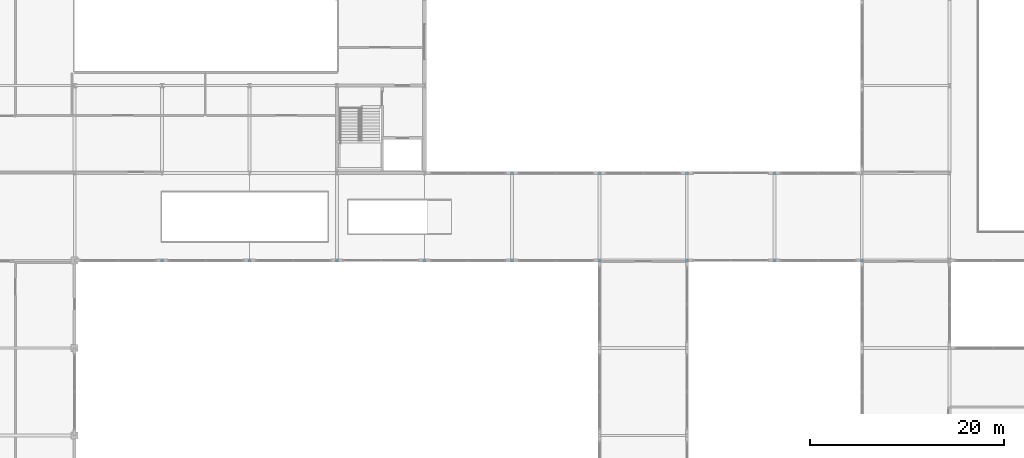
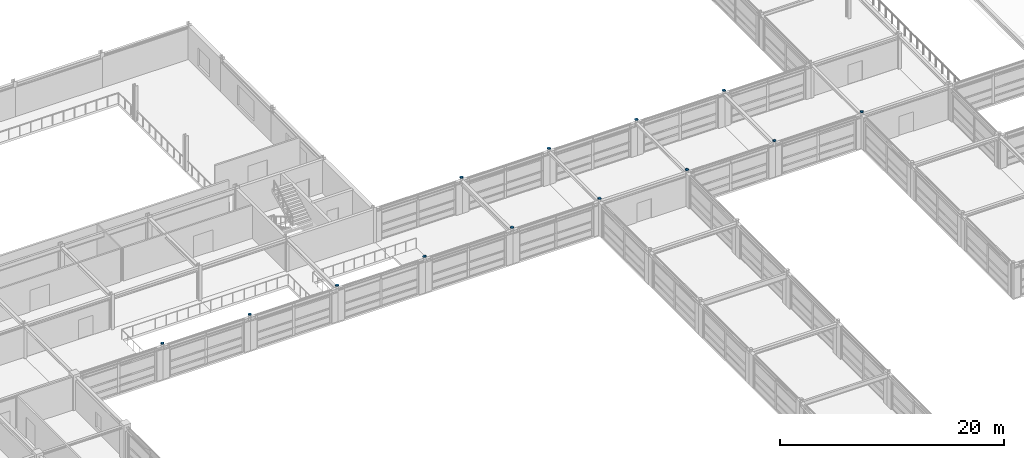
# One storey, part 75 of 79: 13 discrete accessories.
"""IFC4 building model written with IfcOpenShell, lengths in metres."""

from ifc_helpers import new_model, si_unit, direction, frame, origin, place, context, subcontext, project, spatial, polyline, outline, extrude, material, type_object, element, save


model = new_model("IFC4")

# Units and contexts
model_context = context("Model", 3, precision=1e-05, world=origin(), true_north=direction((0.0, 1.0)))
body_context = subcontext(model_context, "Body", "Model", "MODEL_VIEW")
ifc_project = project(units=[si_unit("LENGTHUNIT", "METRE"), si_unit("AREAUNIT", "SQUARE_METRE"), si_unit("VOLUMEUNIT", "CUBIC_METRE"), si_unit("PLANEANGLEUNIT", "RADIAN"), si_unit("MASSUNIT", "GRAM", prefix="KILO")], contexts=[model_context])

# Site, building, storey
site_placement = place(None, origin())
site = spatial("IfcSite", under=ifc_project, at=site_placement, CompositionType="ELEMENT")
building_placement = place(site_placement, origin())
building = spatial("IfcBuilding", under=site, at=building_placement, Name="Palais des Congres Ocreval", CompositionType="ELEMENT")
storey_placement = place(building_placement, frame((0.0, 0.0, 4.320068359375)))
storey = spatial("IfcBuildingStorey", under=building, at=storey_placement, Name="L01", CompositionType="ELEMENT", Elevation=4.320068359375)

# Discrete accessories
ifc_material = material(Name="Steel S355", Category="steel")
discrete_accessory_type = type_object("IfcDiscreteAccessoryType", Name="Column Cap Plate PL20 Steel S355", PredefinedType="USERDEFINED", material=ifc_material)
discrete_accessory_1_placement = place(storey_placement, frame((0.0, 0.0, 3.83984375)))
element("IfcDiscreteAccessory", 1, at=discrete_accessory_1_placement, inside=storey, type_object=discrete_accessory_type, Name="Column Cap Plate PL20 C17", ObjectType="COLUMN CAP PLATE", PredefinedType="USERDEFINED", context=body_context, shape_type="SweptSolid", body=[
    extrude(outline(polyline([(27.14990234375, 72.0), (27.147216796875, 72.029296875), (27.138671875, 72.057373046875), (27.124755859375, 72.083251953125), (27.106201171875, 72.106201171875), (27.083251953125, 72.124755859375), (27.057373046875, 72.138671875), (27.029296875, 72.147216796875), (27.0, 72.14990234375), (26.970703125, 72.147216796875), (26.942626953125, 72.138671875), (26.916748046875, 72.124755859375), (26.893798828125, 72.106201171875), (26.875244140625, 72.083251953125), (26.861328125, 72.057373046875), (26.852783203125, 72.029296875), (26.85009765625, 72.0), (26.852783203125, 71.970703125), (26.861328125, 71.942626953125), (26.875244140625, 71.916748046875), (26.893798828125, 71.893798828125), (26.916748046875, 71.875244140625), (26.942626953125, 71.861328125), (26.970703125, 71.852783203125), (27.0, 71.85009765625), (27.029296875, 71.852783203125), (27.057373046875, 71.861328125), (27.083251953125, 71.875244140625), (27.106201171875, 71.893798828125), (27.124755859375, 71.916748046875), (27.138671875, 71.942626953125), (27.147216796875, 71.970703125), (27.14990234375, 72.0)])), origin(), (0.0, 0.0, 1.0), 0.02001953125),
])
discrete_accessory_2_placement = place(storey_placement, frame((0.0, 0.0, 3.83984375)))
element("IfcDiscreteAccessory", 2, at=discrete_accessory_2_placement, inside=storey, type_object=discrete_accessory_type, Name="Column Cap Plate PL20 C17", ObjectType="COLUMN CAP PLATE", PredefinedType="USERDEFINED", context=body_context, shape_type="SweptSolid", body=[
    extrude(outline(polyline([(36.14990234375, 72.0), (36.147216796875, 72.029296875), (36.138671875, 72.057373046875), (36.124755859375, 72.083251953125), (36.106201171875, 72.106201171875), (36.083251953125, 72.124755859375), (36.057373046875, 72.138671875), (36.029296875, 72.147216796875), (36.0, 72.14990234375), (35.970703125, 72.147216796875), (35.942626953125, 72.138671875), (35.916748046875, 72.124755859375), (35.893798828125, 72.106201171875), (35.875244140625, 72.083251953125), (35.861328125, 72.057373046875), (35.852783203125, 72.029296875), (35.85009765625, 72.0), (35.852783203125, 71.970703125), (35.861328125, 71.942626953125), (35.875244140625, 71.916748046875), (35.893798828125, 71.893798828125), (35.916748046875, 71.875244140625), (35.942626953125, 71.861328125), (35.970703125, 71.852783203125), (36.0, 71.85009765625), (36.029296875, 71.852783203125), (36.057373046875, 71.861328125), (36.083251953125, 71.875244140625), (36.106201171875, 71.893798828125), (36.124755859375, 71.916748046875), (36.138671875, 71.942626953125), (36.147216796875, 71.970703125), (36.14990234375, 72.0)])), origin(), (0.0, 0.0, 1.0), 0.02001953125),
])
discrete_accessory_3_placement = place(storey_placement, frame((0.0, 0.0, 3.83984375)))
element("IfcDiscreteAccessory", 3, at=discrete_accessory_3_placement, inside=storey, type_object=discrete_accessory_type, Name="Column Cap Plate PL20 C17", ObjectType="COLUMN CAP PLATE", PredefinedType="USERDEFINED", context=body_context, shape_type="SweptSolid", body=[
    extrude(outline(polyline([(45.14990234375, 72.0), (45.147216796875, 72.029296875), (45.138671875, 72.057373046875), (45.124755859375, 72.083251953125), (45.106201171875, 72.106201171875), (45.083251953125, 72.124755859375), (45.057373046875, 72.138671875), (45.029296875, 72.147216796875), (45.0, 72.14990234375), (44.970703125, 72.147216796875), (44.942626953125, 72.138671875), (44.916748046875, 72.124755859375), (44.893798828125, 72.106201171875), (44.875244140625, 72.083251953125), (44.861328125, 72.057373046875), (44.852783203125, 72.029296875), (44.85009765625, 72.0), (44.852783203125, 71.970703125), (44.861328125, 71.942626953125), (44.875244140625, 71.916748046875), (44.893798828125, 71.893798828125), (44.916748046875, 71.875244140625), (44.942626953125, 71.861328125), (44.970703125, 71.852783203125), (45.0, 71.85009765625), (45.029296875, 71.852783203125), (45.057373046875, 71.861328125), (45.083251953125, 71.875244140625), (45.106201171875, 71.893798828125), (45.124755859375, 71.916748046875), (45.138671875, 71.942626953125), (45.147216796875, 71.970703125), (45.14990234375, 72.0)])), origin(), (0.0, 0.0, 1.0), 0.02001953125),
])
discrete_accessory_4_placement = place(storey_placement, frame((0.0, 0.0, 3.83984375)))
element("IfcDiscreteAccessory", 4, at=discrete_accessory_4_placement, inside=storey, type_object=discrete_accessory_type, Name="Column Cap Plate PL20 C17", ObjectType="COLUMN CAP PLATE", PredefinedType="USERDEFINED", context=body_context, shape_type="SweptSolid", body=[
    extrude(outline(polyline([(54.14990234375, 72.0), (54.147216796875, 72.029296875), (54.138671875, 72.057373046875), (54.124755859375, 72.083251953125), (54.106201171875, 72.106201171875), (54.083251953125, 72.124755859375), (54.057373046875, 72.138671875), (54.029296875, 72.147216796875), (54.0, 72.14990234375), (53.970703125, 72.147216796875), (53.942626953125, 72.138671875), (53.916748046875, 72.124755859375), (53.893798828125, 72.106201171875), (53.875244140625, 72.083251953125), (53.861328125, 72.057373046875), (53.852783203125, 72.029296875), (53.85009765625, 72.0), (53.852783203125, 71.970703125), (53.861328125, 71.942626953125), (53.875244140625, 71.916748046875), (53.893798828125, 71.893798828125), (53.916748046875, 71.875244140625), (53.942626953125, 71.861328125), (53.970703125, 71.852783203125), (54.0, 71.85009765625), (54.029296875, 71.852783203125), (54.057373046875, 71.861328125), (54.083251953125, 71.875244140625), (54.106201171875, 71.893798828125), (54.124755859375, 71.916748046875), (54.138671875, 71.942626953125), (54.147216796875, 71.970703125), (54.14990234375, 72.0)])), origin(), (0.0, 0.0, 1.0), 0.02001953125),
])
discrete_accessory_5_placement = place(storey_placement, frame((0.0, 0.0, 3.83984375)))
element("IfcDiscreteAccessory", 5, at=discrete_accessory_5_placement, inside=storey, type_object=discrete_accessory_type, Name="Column Cap Plate PL20 C17", ObjectType="COLUMN CAP PLATE", PredefinedType="USERDEFINED", context=body_context, shape_type="SweptSolid", body=[
    extrude(outline(polyline([(63.14990234375, 72.0), (63.147216796875, 72.029296875), (63.138671875, 72.057373046875), (63.124755859375, 72.083251953125), (63.106201171875, 72.106201171875), (63.083251953125, 72.124755859375), (63.057373046875, 72.138671875), (63.029296875, 72.147216796875), (63.0, 72.14990234375), (62.970703125, 72.147216796875), (62.942626953125, 72.138671875), (62.916748046875, 72.124755859375), (62.893798828125, 72.106201171875), (62.875244140625, 72.083251953125), (62.861328125, 72.057373046875), (62.852783203125, 72.029296875), (62.85009765625, 72.0), (62.852783203125, 71.970703125), (62.861328125, 71.942626953125), (62.875244140625, 71.916748046875), (62.893798828125, 71.893798828125), (62.916748046875, 71.875244140625), (62.942626953125, 71.861328125), (62.970703125, 71.852783203125), (63.0, 71.85009765625), (63.029296875, 71.852783203125), (63.057373046875, 71.861328125), (63.083251953125, 71.875244140625), (63.106201171875, 71.893798828125), (63.124755859375, 71.916748046875), (63.138671875, 71.942626953125), (63.147216796875, 71.970703125), (63.14990234375, 72.0)])), origin(), (0.0, 0.0, 1.0), 0.02001953125),
])
discrete_accessory_6_placement = place(storey_placement, frame((0.0, 0.0, 3.83984375)))
element("IfcDiscreteAccessory", 6, at=discrete_accessory_6_placement, inside=storey, type_object=discrete_accessory_type, Name="Column Cap Plate PL20 C17", ObjectType="COLUMN CAP PLATE", PredefinedType="USERDEFINED", context=body_context, shape_type="SweptSolid", body=[
    extrude(outline(polyline([(63.14990234375, 81.0), (63.147216796875, 81.029296875), (63.138671875, 81.057373046875), (63.124755859375, 81.083251953125), (63.106201171875, 81.106201171875), (63.083251953125, 81.124755859375), (63.057373046875, 81.138671875), (63.029296875, 81.147216796875), (63.0, 81.14990234375), (62.970703125, 81.147216796875), (62.942626953125, 81.138671875), (62.916748046875, 81.124755859375), (62.893798828125, 81.106201171875), (62.875244140625, 81.083251953125), (62.861328125, 81.057373046875), (62.852783203125, 81.029296875), (62.85009765625, 81.0), (62.852783203125, 80.970703125), (62.861328125, 80.942626953125), (62.875244140625, 80.916748046875), (62.893798828125, 80.893798828125), (62.916748046875, 80.875244140625), (62.942626953125, 80.861328125), (62.970703125, 80.852783203125), (63.0, 80.85009765625), (63.029296875, 80.852783203125), (63.057373046875, 80.861328125), (63.083251953125, 80.875244140625), (63.106201171875, 80.893798828125), (63.124755859375, 80.916748046875), (63.138671875, 80.942626953125), (63.147216796875, 80.970703125), (63.14990234375, 81.0)])), origin(), (0.0, 0.0, 1.0), 0.02001953125),
])
discrete_accessory_7_placement = place(storey_placement, frame((0.0, 0.0, 3.83984375)))
element("IfcDiscreteAccessory", 7, at=discrete_accessory_7_placement, inside=storey, type_object=discrete_accessory_type, Name="Column Cap Plate PL20 C17", ObjectType="COLUMN CAP PLATE", PredefinedType="USERDEFINED", context=body_context, shape_type="SweptSolid", body=[
    extrude(outline(polyline([(72.14990234375, 72.0), (72.147216796875, 72.029296875), (72.138671875, 72.057373046875), (72.124755859375, 72.083251953125), (72.106201171875, 72.106201171875), (72.083251953125, 72.124755859375), (72.057373046875, 72.138671875), (72.029296875, 72.147216796875), (72.0, 72.14990234375), (71.970703125, 72.147216796875), (71.942626953125, 72.138671875), (71.916748046875, 72.124755859375), (71.893798828125, 72.106201171875), (71.875244140625, 72.083251953125), (71.861328125, 72.057373046875), (71.852783203125, 72.029296875), (71.85009765625, 72.0), (71.852783203125, 71.970703125), (71.861328125, 71.942626953125), (71.875244140625, 71.916748046875), (71.893798828125, 71.893798828125), (71.916748046875, 71.875244140625), (71.942626953125, 71.861328125), (71.970703125, 71.852783203125), (72.0, 71.85009765625), (72.029296875, 71.852783203125), (72.057373046875, 71.861328125), (72.083251953125, 71.875244140625), (72.106201171875, 71.893798828125), (72.124755859375, 71.916748046875), (72.138671875, 71.942626953125), (72.147216796875, 71.970703125), (72.14990234375, 72.0)])), origin(), (0.0, 0.0, 1.0), 0.02001953125),
])
discrete_accessory_8_placement = place(storey_placement, frame((0.0, 0.0, 3.83984375)))
element("IfcDiscreteAccessory", 8, at=discrete_accessory_8_placement, inside=storey, type_object=discrete_accessory_type, Name="Column Cap Plate PL20 C17", ObjectType="COLUMN CAP PLATE", PredefinedType="USERDEFINED", context=body_context, shape_type="SweptSolid", body=[
    extrude(outline(polyline([(72.14990234375, 81.0), (72.147216796875, 81.029296875), (72.138671875, 81.057373046875), (72.124755859375, 81.083251953125), (72.106201171875, 81.106201171875), (72.083251953125, 81.124755859375), (72.057373046875, 81.138671875), (72.029296875, 81.147216796875), (72.0, 81.14990234375), (71.970703125, 81.147216796875), (71.942626953125, 81.138671875), (71.916748046875, 81.124755859375), (71.893798828125, 81.106201171875), (71.875244140625, 81.083251953125), (71.861328125, 81.057373046875), (71.852783203125, 81.029296875), (71.85009765625, 81.0), (71.852783203125, 80.970703125), (71.861328125, 80.942626953125), (71.875244140625, 80.916748046875), (71.893798828125, 80.893798828125), (71.916748046875, 80.875244140625), (71.942626953125, 80.861328125), (71.970703125, 80.852783203125), (72.0, 80.85009765625), (72.029296875, 80.852783203125), (72.057373046875, 80.861328125), (72.083251953125, 80.875244140625), (72.106201171875, 80.893798828125), (72.124755859375, 80.916748046875), (72.138671875, 80.942626953125), (72.147216796875, 80.970703125), (72.14990234375, 81.0)])), origin(), (0.0, 0.0, 1.0), 0.02001953125),
])
discrete_accessory_9_placement = place(storey_placement, frame((0.0, 0.0, 3.83984375)))
element("IfcDiscreteAccessory", 9, at=discrete_accessory_9_placement, inside=storey, type_object=discrete_accessory_type, Name="Column Cap Plate PL20 C17", ObjectType="COLUMN CAP PLATE", PredefinedType="USERDEFINED", context=body_context, shape_type="SweptSolid", body=[
    extrude(outline(polyline([(81.14990234375, 72.0), (81.147216796875, 72.029296875), (81.138671875, 72.057373046875), (81.124755859375, 72.083251953125), (81.106201171875, 72.106201171875), (81.083251953125, 72.124755859375), (81.057373046875, 72.138671875), (81.029296875, 72.147216796875), (81.0, 72.14990234375), (80.970703125, 72.147216796875), (80.942626953125, 72.138671875), (80.916748046875, 72.124755859375), (80.893798828125, 72.106201171875), (80.875244140625, 72.083251953125), (80.861328125, 72.057373046875), (80.852783203125, 72.029296875), (80.85009765625, 72.0), (80.852783203125, 71.970703125), (80.861328125, 71.942626953125), (80.875244140625, 71.916748046875), (80.893798828125, 71.893798828125), (80.916748046875, 71.875244140625), (80.942626953125, 71.861328125), (80.970703125, 71.852783203125), (81.0, 71.85009765625), (81.029296875, 71.852783203125), (81.057373046875, 71.861328125), (81.083251953125, 71.875244140625), (81.106201171875, 71.893798828125), (81.124755859375, 71.916748046875), (81.138671875, 71.942626953125), (81.147216796875, 71.970703125), (81.14990234375, 72.0)])), origin(), (0.0, 0.0, 1.0), 0.02001953125),
])
discrete_accessory_10_placement = place(storey_placement, frame((0.0, 0.0, 3.83984375)))
element("IfcDiscreteAccessory", 10, at=discrete_accessory_10_placement, inside=storey, type_object=discrete_accessory_type, Name="Column Cap Plate PL20 C17", ObjectType="COLUMN CAP PLATE", PredefinedType="USERDEFINED", context=body_context, shape_type="SweptSolid", body=[
    extrude(outline(polyline([(81.14990234375, 81.0), (81.147216796875, 81.029296875), (81.138671875, 81.057373046875), (81.124755859375, 81.083251953125), (81.106201171875, 81.106201171875), (81.083251953125, 81.124755859375), (81.057373046875, 81.138671875), (81.029296875, 81.147216796875), (81.0, 81.14990234375), (80.970703125, 81.147216796875), (80.942626953125, 81.138671875), (80.916748046875, 81.124755859375), (80.893798828125, 81.106201171875), (80.875244140625, 81.083251953125), (80.861328125, 81.057373046875), (80.852783203125, 81.029296875), (80.85009765625, 81.0), (80.852783203125, 80.970703125), (80.861328125, 80.942626953125), (80.875244140625, 80.916748046875), (80.893798828125, 80.893798828125), (80.916748046875, 80.875244140625), (80.942626953125, 80.861328125), (80.970703125, 80.852783203125), (81.0, 80.85009765625), (81.029296875, 80.852783203125), (81.057373046875, 80.861328125), (81.083251953125, 80.875244140625), (81.106201171875, 80.893798828125), (81.124755859375, 80.916748046875), (81.138671875, 80.942626953125), (81.147216796875, 80.970703125), (81.14990234375, 81.0)])), origin(), (0.0, 0.0, 1.0), 0.02001953125),
])
discrete_accessory_11_placement = place(storey_placement, frame((0.0, 0.0, 3.83984375)))
element("IfcDiscreteAccessory", 11, at=discrete_accessory_11_placement, inside=storey, type_object=discrete_accessory_type, Name="Column Cap Plate PL20 C17", ObjectType="COLUMN CAP PLATE", PredefinedType="USERDEFINED", context=body_context, shape_type="SweptSolid", body=[
    extrude(outline(polyline([(90.14990234375, 72.0), (90.147216796875, 72.029296875), (90.138671875, 72.057373046875), (90.124755859375, 72.083251953125), (90.106201171875, 72.106201171875), (90.083251953125, 72.124755859375), (90.057373046875, 72.138671875), (90.029296875, 72.147216796875), (90.0, 72.14990234375), (89.970703125, 72.147216796875), (89.942626953125, 72.138671875), (89.916748046875, 72.124755859375), (89.893798828125, 72.106201171875), (89.875244140625, 72.083251953125), (89.861328125, 72.057373046875), (89.852783203125, 72.029296875), (89.85009765625, 72.0), (89.852783203125, 71.970703125), (89.861328125, 71.942626953125), (89.875244140625, 71.916748046875), (89.893798828125, 71.893798828125), (89.916748046875, 71.875244140625), (89.942626953125, 71.861328125), (89.970703125, 71.852783203125), (90.0, 71.85009765625), (90.029296875, 71.852783203125), (90.057373046875, 71.861328125), (90.083251953125, 71.875244140625), (90.106201171875, 71.893798828125), (90.124755859375, 71.916748046875), (90.138671875, 71.942626953125), (90.147216796875, 71.970703125), (90.14990234375, 72.0)])), origin(), (0.0, 0.0, 1.0), 0.02001953125),
])
discrete_accessory_12_placement = place(storey_placement, frame((0.0, 0.0, 3.83984375)))
element("IfcDiscreteAccessory", 12, at=discrete_accessory_12_placement, inside=storey, type_object=discrete_accessory_type, Name="Column Cap Plate PL20 C17", ObjectType="COLUMN CAP PLATE", PredefinedType="USERDEFINED", context=body_context, shape_type="SweptSolid", body=[
    extrude(outline(polyline([(90.14990234375, 81.0), (90.147216796875, 81.029296875), (90.138671875, 81.057373046875), (90.124755859375, 81.083251953125), (90.106201171875, 81.106201171875), (90.083251953125, 81.124755859375), (90.057373046875, 81.138671875), (90.029296875, 81.147216796875), (90.0, 81.14990234375), (89.970703125, 81.147216796875), (89.942626953125, 81.138671875), (89.916748046875, 81.124755859375), (89.893798828125, 81.106201171875), (89.875244140625, 81.083251953125), (89.861328125, 81.057373046875), (89.852783203125, 81.029296875), (89.85009765625, 81.0), (89.852783203125, 80.970703125), (89.861328125, 80.942626953125), (89.875244140625, 80.916748046875), (89.893798828125, 80.893798828125), (89.916748046875, 80.875244140625), (89.942626953125, 80.861328125), (89.970703125, 80.852783203125), (90.0, 80.85009765625), (90.029296875, 80.852783203125), (90.057373046875, 80.861328125), (90.083251953125, 80.875244140625), (90.106201171875, 80.893798828125), (90.124755859375, 80.916748046875), (90.138671875, 80.942626953125), (90.147216796875, 80.970703125), (90.14990234375, 81.0)])), origin(), (0.0, 0.0, 1.0), 0.02001953125),
])
discrete_accessory_13_placement = place(storey_placement, frame((0.0, 0.0, 3.83984375)))
element("IfcDiscreteAccessory", 13, at=discrete_accessory_13_placement, inside=storey, type_object=discrete_accessory_type, Name="Column Cap Plate PL20 C17", ObjectType="COLUMN CAP PLATE", PredefinedType="USERDEFINED", context=body_context, shape_type="SweptSolid", body=[
    extrude(outline(polyline([(99.14990234375, 72.0), (99.147216796875, 72.029296875), (99.138671875, 72.057373046875), (99.124755859375, 72.083251953125), (99.106201171875, 72.106201171875), (99.083251953125, 72.124755859375), (99.057373046875, 72.138671875), (99.029296875, 72.147216796875), (99.0, 72.14990234375), (98.970703125, 72.147216796875), (98.942626953125, 72.138671875), (98.916748046875, 72.124755859375), (98.893798828125, 72.106201171875), (98.875244140625, 72.083251953125), (98.861328125, 72.057373046875), (98.852783203125, 72.029296875), (98.85009765625, 72.0), (98.852783203125, 71.970703125), (98.861328125, 71.942626953125), (98.875244140625, 71.916748046875), (98.893798828125, 71.893798828125), (98.916748046875, 71.875244140625), (98.942626953125, 71.861328125), (98.970703125, 71.852783203125), (99.0, 71.85009765625), (99.029296875, 71.852783203125), (99.057373046875, 71.861328125), (99.083251953125, 71.875244140625), (99.106201171875, 71.893798828125), (99.124755859375, 71.916748046875), (99.138671875, 71.942626953125), (99.147216796875, 71.970703125), (99.14990234375, 72.0)])), origin(), (0.0, 0.0, 1.0), 0.02001953125),
])

save(model, "model.ifc")
